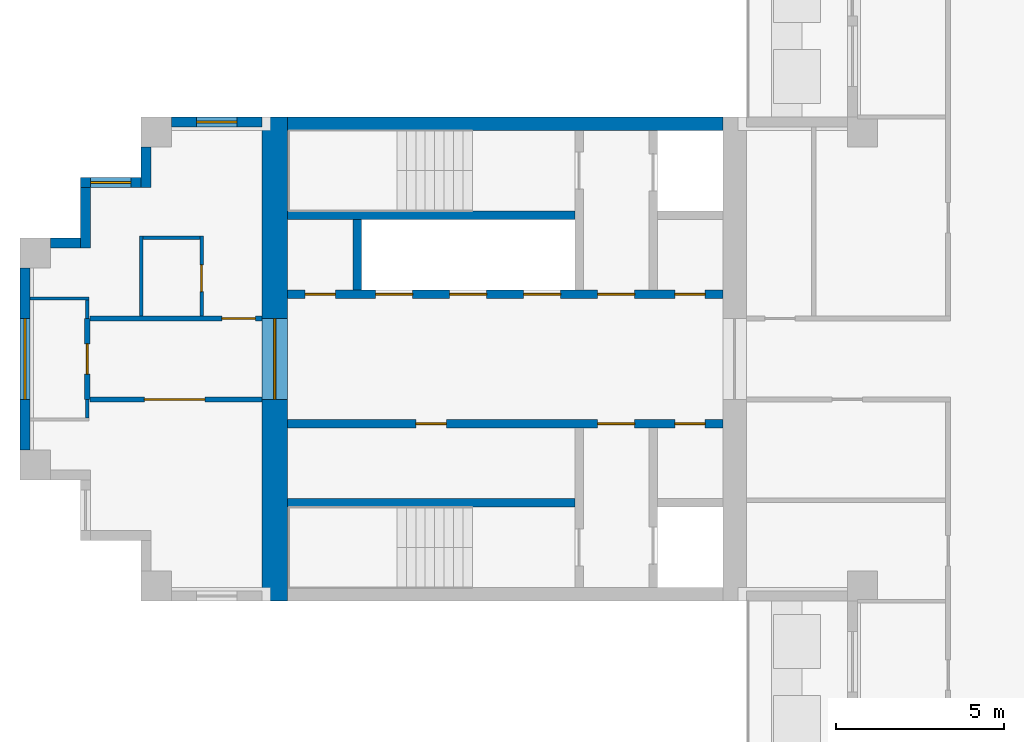
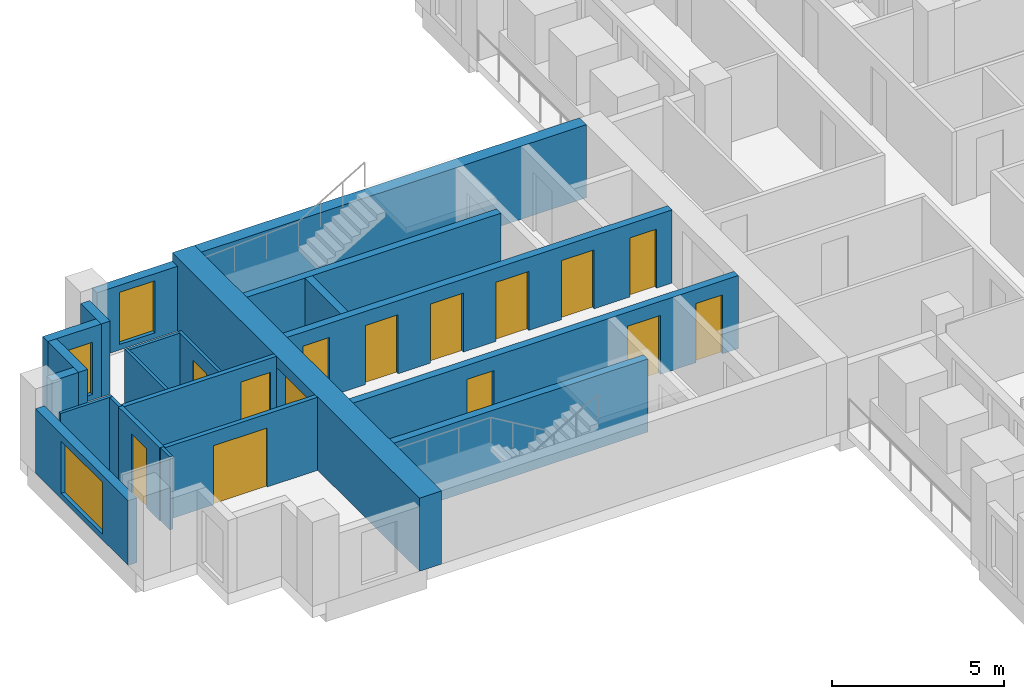
# One storey, part 3 of 9: 22 walls, 14 doors, 3 windows, 17 openings.
"""IFC4 building model written with IfcOpenShell, lengths in metres."""

from ifc_helpers import new_model, si_unit, direction, frame, frame_2d, origin, place, context, subcontext, project, spatial, rectangle, extrude, material, layer, layer_set, type_object, element, fill, save


model = new_model("IFC4")

# Units and contexts
model_context = context("Model", 3, precision=1e-05, world=origin(), true_north=direction((0.0, 1.0)))
body_context = subcontext(model_context, "Body", "Model", "MODEL_VIEW")
ifc_project = project(units=[si_unit("LENGTHUNIT", "METRE"), si_unit("AREAUNIT", "SQUARE_METRE"), si_unit("VOLUMEUNIT", "CUBIC_METRE"), si_unit("PLANEANGLEUNIT", "RADIAN"), si_unit("MASSUNIT", "GRAM", prefix="KILO")], contexts=[model_context])

# Site, building, storey
site_placement = place(None, origin())
site = spatial("IfcSite", under=ifc_project, at=site_placement, CompositionType="ELEMENT")
building_placement = place(site_placement, origin())
building = spatial("IfcBuilding", under=site, at=building_placement, Name="Fustian Cross Tower", CompositionType="ELEMENT")
storey_placement = place(building_placement, frame((0.0, 0.0, 219.89990234375)))
storey = spatial("IfcBuildingStorey", under=building, at=storey_placement, Name="L69", CompositionType="ELEMENT", Elevation=219.89990234375)

# Wall, opening, door
ifc_material_1 = material(Name="Plasterboard on steel stud", Category="steel")
ifc_layer_1 = layer(ifc_material_1, 0.14990234375)
ifc_layer_set_1 = layer_set([ifc_layer_1], Name="Plasterboard on steel stud")
wall_type_1 = type_object("IfcWallType", Name="COMPARTMENT WALL 150 EI 60", PredefinedType="PARTITIONING", material=ifc_layer_set_1)
wall_1_placement = place(storey_placement, frame((-26.800048828125, -1.199951171875, 0.0), z_axis=(0.0, 0.0, 1.0), x_axis=(0.0, 1.0, 0.0)))
wall_1 = element("IfcWall", 1, at=wall_1_placement, inside=storey, type_object=wall_type_1, Name="Partition 4", PredefinedType="PARTITIONING", context=body_context, shape_type="SweptSolid", body=[
    extrude(rectangle(XDim=2.39990234375, YDim=0.14990234375, at=frame_2d((1.199951171875, 0.0))), origin(), (0.0, 0.0, 1.0), 2.60009765625),
])
opening_1_placement = place(wall_1_placement, frame((0.75, 0.0, 0.0)))
opening_1 = element("IfcOpeningElement", 2, at=opening_1_placement, cuts=wall_1, Name="Opening D31022", PredefinedType="OPENING", context=body_context, shape_type="SweptSolid", body=[
    extrude(rectangle(XDim=0.89990234375, YDim=2.10009765625, at=frame_2d((0.449951171875, 1.050048828125))), frame((0.0, 0.0849609375, 0.0), z_axis=(0.0, -1.0, 0.0), x_axis=(1.0, 0.0, 0.0)), (0.0, 0.0, 1.0), 0.169921875),
])
ifc_material_2 = material(Name="Timber fire door set", Category="wood")
door_type_1 = type_object("IfcDoorType", Name="FIRE SWING DOOR 900 FD30S", OperationType="SINGLE_SWING_LEFT", PredefinedType="DOOR", material=ifc_material_2)
door_1_placement = place(opening_1_placement, origin())
door_1 = element("IfcDoor", 3, at=door_1_placement, inside=storey, type_object=door_type_1, Name="Door D31022", OperationType="SINGLE_SWING_LEFT", OverallHeight=2.10009765625, OverallWidth=0.89990234375, PredefinedType="DOOR", context=body_context, shape_type="SweptSolid", body=[
    extrude(rectangle(XDim=0.89990234375, YDim=2.10009765625, at=frame_2d((0.449951171875, 1.050048828125))), frame((0.0, 0.02490234375, 0.0), z_axis=(0.0, -1.0, 0.0), x_axis=(1.0, 0.0, 0.0)), (0.0, 0.0, 1.0), 0.050048828125),
])
fill(opening_1, door_1)

wall_2_placement = place(storey_placement, frame((-26.72509765625, -1.199951171875, 0.0), z_axis=(0.0, 0.0, 1.0), x_axis=(1.0, 0.0, 0.0)))
wall_2 = element("IfcWall", 4, at=wall_2_placement, inside=storey, type_object=wall_type_1, Name="Partition 5", PredefinedType="PARTITIONING", context=body_context, shape_type="SweptSolid", body=[
    extrude(rectangle(XDim=5.125, YDim=0.14990234375, at=frame_2d((2.5625, 0.0))), origin(), (0.0, 0.0, 1.0), 2.60009765625),
])
opening_2_placement = place(wall_2_placement, frame((1.625, 0.0, 0.0)))
opening_2 = element("IfcOpeningElement", 5, at=opening_2_placement, cuts=wall_2, Name="Opening D31023", PredefinedType="OPENING", context=body_context, shape_type="SweptSolid", body=[
    extrude(rectangle(XDim=1.800048828125, YDim=2.10009765625, at=frame_2d((0.89990234375, 1.050048828125))), frame((0.0, 0.0849609375, 0.0), z_axis=(0.0, -1.0, 0.0), x_axis=(1.0, 0.0, 0.0)), (0.0, 0.0, 1.0), 0.169921875),
])
ifc_material_3 = material(Name="Timber fire door set", Category="wood")
door_type_2 = type_object("IfcDoorType", Name="FIRE DOUBLE DOOR 1800 FD30S", OperationType="DOUBLE_DOOR_DOUBLE_SWING", PredefinedType="DOOR", material=ifc_material_3)
door_2_placement = place(opening_2_placement, origin())
door_2 = element("IfcDoor", 6, at=door_2_placement, inside=storey, type_object=door_type_2, Name="Door D31023", OperationType="DOUBLE_DOOR_DOUBLE_SWING", OverallHeight=2.10009765625, OverallWidth=1.800048828125, PredefinedType="DOOR", context=body_context, shape_type="SweptSolid", body=[
    extrude(rectangle(XDim=1.800048828125, YDim=2.10009765625, at=frame_2d((0.89990234375, 1.050048828125))), frame((0.0, 0.02490234375, 0.0), z_axis=(0.0, -1.0, 0.0), x_axis=(1.0, 0.0, 0.0)), (0.0, 0.0, 1.0), 0.050048828125),
])
fill(opening_2, door_2)

wall_3_placement = place(storey_placement, frame((-26.72509765625, 1.199951171875, 0.0), z_axis=(0.0, 0.0, 1.0), x_axis=(1.0, 0.0, 0.0)))
wall_3 = element("IfcWall", 7, at=wall_3_placement, inside=storey, type_object=wall_type_1, Name="Partition 7", PredefinedType="PARTITIONING", context=body_context, shape_type="SweptSolid", body=[
    extrude(rectangle(XDim=5.125, YDim=0.14990234375, at=frame_2d((2.5625, 0.0))), origin(), (0.0, 0.0, 1.0), 2.60009765625),
])
opening_3_placement = place(wall_3_placement, frame((3.925048828125, 0.0, 0.0)))
opening_3 = element("IfcOpeningElement", 8, at=opening_3_placement, cuts=wall_3, Name="Opening D31025", PredefinedType="OPENING", context=body_context, shape_type="SweptSolid", body=[
    extrude(rectangle(XDim=1.0, YDim=2.10009765625, at=frame_2d((0.5, 1.050048828125))), frame((0.0, 0.0849609375, 0.0), z_axis=(0.0, -1.0, 0.0), x_axis=(1.0, 0.0, 0.0)), (0.0, 0.0, 1.0), 0.169921875),
])
ifc_material_4 = material(Name="Timber fire door set", Category="wood")
door_type_3 = type_object("IfcDoorType", Name="FIRE SWING DOOR 1000 FD30S", OperationType="SINGLE_SWING_LEFT", PredefinedType="DOOR", material=ifc_material_4)
door_3_placement = place(opening_3_placement, origin())
door_3 = element("IfcDoor", 9, at=door_3_placement, inside=storey, type_object=door_type_3, Name="Door D31025", OperationType="SINGLE_SWING_RIGHT", OverallHeight=2.10009765625, OverallWidth=1.0, PredefinedType="DOOR", context=body_context, shape_type="SweptSolid", body=[
    extrude(rectangle(XDim=1.0, YDim=2.10009765625, at=frame_2d((0.5, 1.050048828125))), frame((0.0, 0.02490234375, 0.0), z_axis=(0.0, -1.0, 0.0), x_axis=(1.0, 0.0, 0.0)), (0.0, 0.0, 1.0), 0.050048828125),
])
fill(opening_3, door_3)

ifc_material_5 = material(Name="Concrete C50/60", Category="concrete")
ifc_layer_2 = layer(ifc_material_5, 0.75)
ifc_layer_set_2 = layer_set([ifc_layer_2], Name="Concrete C50/60")
wall_type_2 = type_object("IfcWallType", Name="CORE END WALL 750 C50/60", PredefinedType="SHEAR", material=ifc_layer_set_2)
wall_4_placement = place(storey_placement, frame((-21.22509765625, -7.199951171875, 0.0), z_axis=(0.0, 0.0, 1.0), x_axis=(0.0, 1.0, 0.0)))
wall_4 = element("IfcWall", 10, at=wall_4_placement, inside=storey, type_object=wall_type_2, Name="Core end wall", PredefinedType="SHEAR", context=body_context, shape_type="SweptSolid", body=[
    extrude(rectangle(XDim=14.39990234375, YDim=0.75, at=frame_2d((7.199951171875, 0.0))), origin(), (0.0, 0.0, 1.0), 2.60009765625),
])
opening_4_placement = place(wall_4_placement, frame((6.0, 0.0, 0.0)))
opening_4 = element("IfcOpeningElement", 11, at=opening_4_placement, cuts=wall_4, Name="Opening CD-29-28", PredefinedType="OPENING", context=body_context, shape_type="SweptSolid", body=[
    extrude(rectangle(XDim=2.39990234375, YDim=2.199951171875, at=frame_2d((1.199951171875, 1.10009765625))), frame((0.0, 0.385009765625, 0.0), z_axis=(0.0, -1.0, 0.0), x_axis=(1.0, 0.0, 0.0)), (0.0, 0.0, 1.0), 0.77001953125),
])
ifc_material_6 = material(Name="Steel", Category="steel")
door_type_4 = type_object("IfcDoorType", Name="FIRE DOOR FD30S DOUBLE 2400X2200", OperationType="DOUBLE_DOOR_DOUBLE_SWING", PredefinedType="DOOR", material=ifc_material_6)
door_4_placement = place(opening_4_placement, frame((2.39990234375, 0.0, 0.0), z_axis=(0.0, 0.0, 1.0), x_axis=(-1.0, 0.0, 0.0)))
door_4 = element("IfcDoor", 12, at=door_4_placement, inside=storey, type_object=door_type_4, Name="Core door CD-29-28", OperationType="DOUBLE_DOOR_DOUBLE_SWING", OverallHeight=2.199951171875, OverallWidth=2.39990234375, PredefinedType="DOOR", context=body_context, shape_type="SweptSolid", body=[
    extrude(rectangle(XDim=2.39990234375, YDim=2.199951171875, at=frame_2d((1.199951171875, 1.10009765625))), frame((0.0, 0.02490234375, 0.0), z_axis=(0.0, -1.0, 0.0), x_axis=(1.0, 0.0, 0.0)), (0.0, 0.0, 1.0), 0.050048828125),
])
fill(opening_4, door_4)

# Wall
ifc_material_7 = material(Name="Concrete C50/60", Category="concrete")
ifc_layer_3 = layer(ifc_material_7, 0.39990234375)
ifc_layer_set_3 = layer_set([ifc_layer_3], Name="Concrete C50/60")
wall_type_3 = type_object("IfcWallType", Name="CORE FACADE WALL 400 C50/60", PredefinedType="SHEAR", material=ifc_layer_set_3)
wall_5_placement = place(storey_placement, frame((-7.89990234375, 7.0, 0.0), z_axis=(0.0, 0.0, 1.0), x_axis=(-1.0, 0.0, 0.0)))
element("IfcWall", 13, at=wall_5_placement, inside=storey, type_object=wall_type_3, Name="Core facade wall", PredefinedType="SHEAR", context=body_context, shape_type="SweptSolid", body=[
    extrude(rectangle(XDim=12.9501953125, YDim=0.39990234375, at=frame_2d((6.47509765625, 0.0))), origin(), (0.0, 0.0, 1.0), 2.60009765625),
])

# Wall, openings, doors
ifc_material_8 = material(Name="Concrete C50/60", Category="concrete")
ifc_layer_4 = layer(ifc_material_8, 0.25)
ifc_layer_set_4 = layer_set([ifc_layer_4], Name="Concrete C50/60")
wall_type_4 = type_object("IfcWallType", Name="CORE LOBBY WALL 250 C50/60", PredefinedType="SHEAR", material=ifc_layer_set_4)
wall_6_placement = place(storey_placement, frame((-7.89990234375, 1.925048828125, 0.0), z_axis=(0.0, 0.0, 1.0), x_axis=(-1.0, 0.0, 0.0)))
wall_6 = element("IfcWall", 14, at=wall_6_placement, inside=storey, type_object=wall_type_4, Name="Core lobby wall", PredefinedType="SHEAR", context=body_context, shape_type="SweptSolid", body=[
    extrude(rectangle(XDim=12.9501953125, YDim=0.25, at=frame_2d((6.47509765625, 0.0))), origin(), (0.0, 0.0, 1.0), 2.60009765625),
])
opening_5_placement = place(wall_6_placement, frame((4.824951171875, 0.0, 0.0)))
opening_5 = element("IfcOpeningElement", 15, at=opening_5_placement, cuts=wall_6, Name="Opening LD", PredefinedType="OPENING", context=body_context, shape_type="SweptSolid", body=[
    extrude(rectangle(XDim=1.10009765625, YDim=2.10009765625, at=frame_2d((0.550048828125, 1.050048828125))), frame((0.0, 0.135009765625, 0.0), z_axis=(0.0, -1.0, 0.0), x_axis=(1.0, 0.0, 0.0)), (0.0, 0.0, 1.0), 0.27001953125),
])
opening_6_placement = place(wall_6_placement, frame((7.02490234375, 0.0, 0.0)))
opening_6 = element("IfcOpeningElement", 16, at=opening_6_placement, cuts=wall_6, Name="Opening LD", PredefinedType="OPENING", context=body_context, shape_type="SweptSolid", body=[
    extrude(rectangle(XDim=1.10009765625, YDim=2.10009765625, at=frame_2d((0.550048828125, 1.050048828125))), frame((0.0, 0.135009765625, 0.0), z_axis=(0.0, -1.0, 0.0), x_axis=(1.0, 0.0, 0.0)), (0.0, 0.0, 1.0), 0.27001953125),
])
opening_7_placement = place(wall_6_placement, frame((9.22509765625, 0.0, 0.0)))
opening_7 = element("IfcOpeningElement", 17, at=opening_7_placement, cuts=wall_6, Name="Opening LD", PredefinedType="OPENING", context=body_context, shape_type="SweptSolid", body=[
    extrude(rectangle(XDim=1.10009765625, YDim=2.10009765625, at=frame_2d((0.550048828125, 1.050048828125))), frame((0.0, 0.135009765625, 0.0), z_axis=(0.0, -1.0, 0.0), x_axis=(1.0, 0.0, 0.0)), (0.0, 0.0, 1.0), 0.27001953125),
])
opening_8_placement = place(wall_6_placement, frame((0.52490234375, 0.0, 0.0)))
opening_8 = element("IfcOpeningElement", 18, at=opening_8_placement, cuts=wall_6, Name="Opening CD-29-23", PredefinedType="OPENING", context=body_context, shape_type="SweptSolid", body=[
    extrude(rectangle(XDim=0.89990234375, YDim=2.10009765625, at=frame_2d((0.449951171875, 1.050048828125))), frame((0.0, 0.135009765625, 0.0), z_axis=(0.0, -1.0, 0.0), x_axis=(1.0, 0.0, 0.0)), (0.0, 0.0, 1.0), 0.27001953125),
])
opening_9_placement = place(wall_6_placement, frame((2.625, 0.0, 0.0)))
opening_9 = element("IfcOpeningElement", 19, at=opening_9_placement, cuts=wall_6, Name="Opening CD-29-25", PredefinedType="OPENING", context=body_context, shape_type="SweptSolid", body=[
    extrude(rectangle(XDim=1.10009765625, YDim=2.10009765625, at=frame_2d((0.550048828125, 1.050048828125))), frame((0.0, 0.135009765625, 0.0), z_axis=(0.0, -1.0, 0.0), x_axis=(1.0, 0.0, 0.0)), (0.0, 0.0, 1.0), 0.27001953125),
])
opening_10_placement = place(wall_6_placement, frame((11.52490234375, 0.0, 0.0)))
opening_10 = element("IfcOpeningElement", 20, at=opening_10_placement, cuts=wall_6, Name="Opening CD-29-29", PredefinedType="OPENING", context=body_context, shape_type="SweptSolid", body=[
    extrude(rectangle(XDim=0.89990234375, YDim=2.10009765625, at=frame_2d((0.449951171875, 1.050048828125))), frame((0.0, 0.135009765625, 0.0), z_axis=(0.0, -1.0, 0.0), x_axis=(1.0, 0.0, 0.0)), (0.0, 0.0, 1.0), 0.27001953125),
])
ifc_material_9 = material(Name="Steel", Category="steel")
door_type_5 = type_object("IfcDoorType", Name="FIRE DOOR FD30S 900X2100", OperationType="SINGLE_SWING_LEFT", PredefinedType="DOOR", material=ifc_material_9)
door_5_placement = place(opening_10_placement, frame((0.89990234375, 0.0, 0.0), z_axis=(0.0, 0.0, 1.0), x_axis=(-1.0, 0.0, 0.0)))
door_5 = element("IfcDoor", 21, at=door_5_placement, inside=storey, type_object=door_type_5, Name="Core door CD-29-29", OperationType="SINGLE_SWING_RIGHT", OverallHeight=2.10009765625, OverallWidth=0.89990234375, PredefinedType="DOOR", context=body_context, shape_type="SweptSolid", body=[
    extrude(rectangle(XDim=0.89990234375, YDim=2.10009765625, at=frame_2d((0.449951171875, 1.050048828125))), frame((0.0, 0.02490234375, 0.0), z_axis=(0.0, -1.0, 0.0), x_axis=(1.0, 0.0, 0.0)), (0.0, 0.0, 1.0), 0.050048828125),
])
fill(opening_10, door_5)
ifc_material_10 = material(Name="Steel", Category="steel")
door_type_6 = type_object("IfcDoorType", Name="FIRE DOOR FD60S 1100X2100", OperationType="SINGLE_SWING_LEFT", PredefinedType="DOOR", material=ifc_material_10)
door_6_placement = place(opening_9_placement, frame((1.10009765625, 0.0, 0.0), z_axis=(0.0, 0.0, 1.0), x_axis=(-1.0, 0.0, 0.0)))
door_6 = element("IfcDoor", 22, at=door_6_placement, inside=storey, type_object=door_type_6, Name="Core door CD-29-25", OperationType="SINGLE_SWING_RIGHT", OverallHeight=2.10009765625, OverallWidth=1.10009765625, PredefinedType="DOOR", context=body_context, shape_type="SweptSolid", body=[
    extrude(rectangle(XDim=1.10009765625, YDim=2.10009765625, at=frame_2d((0.550048828125, 1.050048828125))), frame((0.0, 0.02490234375, 0.0), z_axis=(0.0, -1.0, 0.0), x_axis=(1.0, 0.0, 0.0)), (0.0, 0.0, 1.0), 0.050048828125),
])
fill(opening_9, door_6)
ifc_material_11 = material(Name="Steel", Category="steel")
door_type_7 = type_object("IfcDoorType", Name="FIRE DOOR FD60S 900X2100", OperationType="SINGLE_SWING_LEFT", PredefinedType="DOOR", material=ifc_material_11)
door_7_placement = place(opening_8_placement, frame((0.89990234375, 0.0, 0.0), z_axis=(0.0, 0.0, 1.0), x_axis=(-1.0, 0.0, 0.0)))
door_7 = element("IfcDoor", 23, at=door_7_placement, inside=storey, type_object=door_type_7, Name="Core door CD-29-23", OperationType="SINGLE_SWING_RIGHT", OverallHeight=2.10009765625, OverallWidth=0.89990234375, PredefinedType="DOOR", context=body_context, shape_type="SweptSolid", body=[
    extrude(rectangle(XDim=0.89990234375, YDim=2.10009765625, at=frame_2d((0.449951171875, 1.050048828125))), frame((0.0, 0.02490234375, 0.0), z_axis=(0.0, -1.0, 0.0), x_axis=(1.0, 0.0, 0.0)), (0.0, 0.0, 1.0), 0.050048828125),
])
fill(opening_8, door_7)
ifc_material_12 = material(Name="Stainless steel", Category="steel")
door_type_8 = type_object("IfcDoorType", Name="LIFT LANDING DOOR 1100X2100", OperationType="SLIDING_TO_LEFT", PredefinedType="DOOR", material=ifc_material_12)
door_8_placement = place(opening_5_placement, origin())
door_8 = element("IfcDoor", 24, at=door_8_placement, inside=storey, type_object=door_type_8, Name="Landing door HR1W", OperationType="SLIDING_TO_LEFT", OverallHeight=2.10009765625, OverallWidth=1.10009765625, PredefinedType="DOOR", context=body_context, shape_type="SweptSolid", body=[
    extrude(rectangle(XDim=1.10009765625, YDim=2.10009765625, at=frame_2d((0.550048828125, 1.050048828125))), frame((0.0, 0.02490234375, 0.0), z_axis=(0.0, -1.0, 0.0), x_axis=(1.0, 0.0, 0.0)), (0.0, 0.0, 1.0), 0.050048828125),
])
fill(opening_5, door_8)
door_9_placement = place(opening_6_placement, origin())
door_9 = element("IfcDoor", 25, at=door_9_placement, inside=storey, type_object=door_type_8, Name="Landing door HR2W", OperationType="SLIDING_TO_LEFT", OverallHeight=2.10009765625, OverallWidth=1.10009765625, PredefinedType="DOOR", context=body_context, shape_type="SweptSolid", body=[
    extrude(rectangle(XDim=1.10009765625, YDim=2.10009765625, at=frame_2d((0.550048828125, 1.050048828125))), frame((0.0, 0.02490234375, 0.0), z_axis=(0.0, -1.0, 0.0), x_axis=(1.0, 0.0, 0.0)), (0.0, 0.0, 1.0), 0.050048828125),
])
fill(opening_6, door_9)
door_10_placement = place(opening_7_placement, origin())
door_10 = element("IfcDoor", 26, at=door_10_placement, inside=storey, type_object=door_type_8, Name="Landing door HR3W", OperationType="SLIDING_TO_LEFT", OverallHeight=2.10009765625, OverallWidth=1.10009765625, PredefinedType="DOOR", context=body_context, shape_type="SweptSolid", body=[
    extrude(rectangle(XDim=1.10009765625, YDim=2.10009765625, at=frame_2d((0.550048828125, 1.050048828125))), frame((0.0, 0.02490234375, 0.0), z_axis=(0.0, -1.0, 0.0), x_axis=(1.0, 0.0, 0.0)), (0.0, 0.0, 1.0), 0.050048828125),
])
fill(opening_7, door_10)

wall_7_placement = place(storey_placement, frame((-7.89990234375, -1.925048828125, 0.0), z_axis=(0.0, 0.0, 1.0), x_axis=(-1.0, 0.0, 0.0)))
wall_7 = element("IfcWall", 27, at=wall_7_placement, inside=storey, type_object=wall_type_4, Name="Core lobby wall", PredefinedType="SHEAR", context=body_context, shape_type="SweptSolid", body=[
    extrude(rectangle(XDim=12.9501953125, YDim=0.25, at=frame_2d((6.47509765625, 0.0))), origin(), (0.0, 0.0, 1.0), 2.60009765625),
])
opening_11_placement = place(wall_7_placement, frame((0.52490234375, 0.0, 0.0)))
opening_11 = element("IfcOpeningElement", 28, at=opening_11_placement, cuts=wall_7, Name="Opening CD-29-24", PredefinedType="OPENING", context=body_context, shape_type="SweptSolid", body=[
    extrude(rectangle(XDim=0.89990234375, YDim=2.10009765625, at=frame_2d((0.449951171875, 1.050048828125))), frame((0.0, 0.135009765625, 0.0), z_axis=(0.0, -1.0, 0.0), x_axis=(1.0, 0.0, 0.0)), (0.0, 0.0, 1.0), 0.27001953125),
])
opening_12_placement = place(wall_7_placement, frame((2.625, 0.0, 0.0)))
opening_12 = element("IfcOpeningElement", 29, at=opening_12_placement, cuts=wall_7, Name="Opening CD-29-26", PredefinedType="OPENING", context=body_context, shape_type="SweptSolid", body=[
    extrude(rectangle(XDim=1.10009765625, YDim=2.10009765625, at=frame_2d((0.550048828125, 1.050048828125))), frame((0.0, 0.135009765625, 0.0), z_axis=(0.0, -1.0, 0.0), x_axis=(1.0, 0.0, 0.0)), (0.0, 0.0, 1.0), 0.27001953125),
])
opening_13_placement = place(wall_7_placement, frame((8.22509765625, 0.0, 0.0)))
opening_13 = element("IfcOpeningElement", 30, at=opening_13_placement, cuts=wall_7, Name="Opening CD-29-30", PredefinedType="OPENING", context=body_context, shape_type="SweptSolid", body=[
    extrude(rectangle(XDim=0.89990234375, YDim=2.10009765625, at=frame_2d((0.449951171875, 1.050048828125))), frame((0.0, 0.135009765625, 0.0), z_axis=(0.0, -1.0, 0.0), x_axis=(1.0, 0.0, 0.0)), (0.0, 0.0, 1.0), 0.27001953125),
])
ifc_material_13 = material(Name="Steel", Category="steel")
door_type_9 = type_object("IfcDoorType", Name="FIRE DOOR FD30S 1100X2100", OperationType="SINGLE_SWING_LEFT", PredefinedType="DOOR", material=ifc_material_13)
door_11_placement = place(opening_12_placement, frame((1.10009765625, 0.0, 0.0), z_axis=(0.0, 0.0, 1.0), x_axis=(-1.0, 0.0, 0.0)))
door_11 = element("IfcDoor", 31, at=door_11_placement, inside=storey, type_object=door_type_9, Name="Core door CD-29-26", OperationType="SINGLE_SWING_RIGHT", OverallHeight=2.10009765625, OverallWidth=1.10009765625, PredefinedType="DOOR", context=body_context, shape_type="SweptSolid", body=[
    extrude(rectangle(XDim=1.10009765625, YDim=2.10009765625, at=frame_2d((0.550048828125, 1.050048828125))), frame((0.0, 0.02490234375, 0.0), z_axis=(0.0, -1.0, 0.0), x_axis=(1.0, 0.0, 0.0)), (0.0, 0.0, 1.0), 0.050048828125),
])
fill(opening_12, door_11)
door_12_placement = place(opening_11_placement, origin())
door_12 = element("IfcDoor", 32, at=door_12_placement, inside=storey, type_object=door_type_5, Name="Core door CD-29-24", OperationType="SINGLE_SWING_LEFT", OverallHeight=2.10009765625, OverallWidth=0.89990234375, PredefinedType="DOOR", context=body_context, shape_type="SweptSolid", body=[
    extrude(rectangle(XDim=0.89990234375, YDim=2.10009765625, at=frame_2d((0.449951171875, 1.050048828125))), frame((0.0, 0.02490234375, 0.0), z_axis=(0.0, -1.0, 0.0), x_axis=(1.0, 0.0, 0.0)), (0.0, 0.0, 1.0), 0.050048828125),
])
fill(opening_11, door_12)
door_13_placement = place(opening_13_placement, origin())
door_13 = element("IfcDoor", 33, at=door_13_placement, inside=storey, type_object=door_type_5, Name="Core door CD-29-30", OperationType="SINGLE_SWING_RIGHT", OverallHeight=2.10009765625, OverallWidth=0.89990234375, PredefinedType="DOOR", context=body_context, shape_type="SweptSolid", body=[
    extrude(rectangle(XDim=0.89990234375, YDim=2.10009765625, at=frame_2d((0.449951171875, 1.050048828125))), frame((0.0, 0.02490234375, 0.0), z_axis=(0.0, -1.0, 0.0), x_axis=(1.0, 0.0, 0.0)), (0.0, 0.0, 1.0), 0.050048828125),
])
fill(opening_13, door_13)

# Walls
ifc_material_14 = material(Name="Concrete C50/60", Category="concrete")
ifc_layer_5 = layer(ifc_material_14, 0.25)
ifc_layer_set_5 = layer_set([ifc_layer_5], Name="Concrete C50/60")
wall_type_5 = type_object("IfcWallType", Name="CORE SHAFT WALL 250 C50/60", PredefinedType="SHEAR", material=ifc_layer_set_5)
for number, where, z_axis, x_axis, name in (
    (34, (-12.300048828125, 4.27490234375, 0.0), (0.0, 0.0, 1.0), (-1.0, 0.0, 0.0), "Core shaft wall"),
    (35, (-12.300048828125, -4.27490234375, 0.0), (0.0, 0.0, 1.0), (-1.0, 0.0, 0.0), "Core shaft wall"),
):
    element("IfcWall", number, at=place(storey_placement, frame(where, z_axis=z_axis, x_axis=x_axis)), inside=storey, type_object=wall_type_5, Name=name, PredefinedType="SHEAR", context=body_context, shape_type="SweptSolid", body=[
        extrude(rectangle(XDim=8.550048828125, YDim=0.25, at=frame_2d((4.27490234375, 0.0))), origin(), (0.0, 0.0, 1.0), 2.60009765625),
    ])
ifc_material_15 = material(Name="Plasterboard on steel stud", Category="steel")
ifc_layer_6 = layer(ifc_material_15, 0.10009765625)
ifc_layer_set_6 = layer_set([ifc_layer_6], Name="Plasterboard on steel stud")
wall_type_6 = type_object("IfcWallType", Name="PARTITION 100 STUD", PredefinedType="PARTITIONING", material=ifc_layer_set_6)
wall_8_placement = place(storey_placement, frame((-28.5, 1.800048828125, 0.0), z_axis=(0.0, 0.0, 1.0), x_axis=(1.0, 0.0, 0.0)))
element("IfcWall", 36, at=wall_8_placement, inside=storey, type_object=wall_type_6, Name="Partition 2", PredefinedType="PARTITIONING", context=body_context, shape_type="SweptSolid", body=[
    extrude(rectangle(XDim=1.75, YDim=0.10009765625, at=frame_2d((0.875, 0.0))), origin(), (0.0, 0.0, 1.0), 2.60009765625),
])
for number, where, z_axis, x_axis, name in (
    (37, (-26.800048828125, -1.75, 0.0), (0.0, 0.0, 1.0), (0.0, 1.0, 0.0), "Partition 3"),
    (38, (-26.800048828125, 1.199951171875, 0.0), (0.0, 0.0, 1.0), (0.0, 1.0, 0.0), "Partition 6"),
):
    element("IfcWall", number, at=place(storey_placement, frame(where, z_axis=z_axis, x_axis=x_axis)), inside=storey, type_object=wall_type_6, Name=name, PredefinedType="PARTITIONING", context=body_context, shape_type="SweptSolid", body=[
        extrude(rectangle(XDim=0.550048828125, YDim=0.10009765625, at=frame_2d((0.27490234375, 0.0))), origin(), (0.0, 0.0, 1.0), 2.60009765625),
    ])
wall_9_placement = place(storey_placement, frame((-25.199951171875, 1.27490234375, 0.0), z_axis=(0.0, 0.0, 1.0), x_axis=(0.0, 1.0, 0.0)))
element("IfcWall", 39, at=wall_9_placement, inside=storey, type_object=wall_type_6, Name="Partition 8", PredefinedType="PARTITIONING", context=body_context, shape_type="SweptSolid", body=[
    extrude(rectangle(XDim=2.375, YDim=0.10009765625, at=frame_2d((1.1875, 0.0))), origin(), (0.0, 0.0, 1.0), 2.60009765625),
])
wall_10_placement = place(storey_placement, frame((-25.14990234375, 3.60009765625, 0.0), z_axis=(0.0, 0.0, 1.0), x_axis=(1.0, 0.0, 0.0)))
element("IfcWall", 40, at=wall_10_placement, inside=storey, type_object=wall_type_6, Name="Partition 9", PredefinedType="PARTITIONING", context=body_context, shape_type="SweptSolid", body=[
    extrude(rectangle(XDim=1.699951171875, YDim=0.10009765625, at=frame_2d((0.85009765625, 0.0))), origin(), (0.0, 0.0, 1.0), 2.60009765625),
])

# Wall, opening, door
wall_11_placement = place(storey_placement, frame((-23.39990234375, 1.27490234375, 0.0), z_axis=(0.0, 0.0, 1.0), x_axis=(0.0, 1.0, 0.0)))
wall_11 = element("IfcWall", 41, at=wall_11_placement, inside=storey, type_object=wall_type_6, Name="Partition 10", PredefinedType="PARTITIONING", context=body_context, shape_type="SweptSolid", body=[
    extrude(rectangle(XDim=2.375, YDim=0.10009765625, at=frame_2d((1.1875, 0.0))), origin(), (0.0, 0.0, 1.0), 2.60009765625),
])
opening_14_placement = place(wall_11_placement, frame((0.72509765625, 0.0, 0.0)))
opening_14 = element("IfcOpeningElement", 42, at=opening_14_placement, cuts=wall_11, Name="Opening D31024", PredefinedType="OPENING", context=body_context, shape_type="SweptSolid", body=[
    extrude(rectangle(XDim=0.800048828125, YDim=2.10009765625, at=frame_2d((0.39990234375, 1.050048828125))), frame((0.0, 0.06005859375, 0.0), z_axis=(0.0, -1.0, 0.0), x_axis=(1.0, 0.0, 0.0)), (0.0, 0.0, 1.0), 0.1201171875),
])
ifc_material_16 = material(Name="Painted timber", Category="wood")
door_type_10 = type_object("IfcDoorType", Name="SWING DOOR 800", OperationType="SINGLE_SWING_LEFT", PredefinedType="DOOR", material=ifc_material_16)
door_14_placement = place(opening_14_placement, origin())
door_14 = element("IfcDoor", 43, at=door_14_placement, inside=storey, type_object=door_type_10, Name="Door D31024", OperationType="SINGLE_SWING_LEFT", OverallHeight=2.10009765625, OverallWidth=0.800048828125, PredefinedType="DOOR", context=body_context, shape_type="SweptSolid", body=[
    extrude(rectangle(XDim=0.800048828125, YDim=2.10009765625, at=frame_2d((0.39990234375, 1.050048828125))), frame((0.0, 0.02490234375, 0.0), z_axis=(0.0, -1.0, 0.0), x_axis=(1.0, 0.0, 0.0)), (0.0, 0.0, 1.0), 0.050048828125),
])
fill(opening_14, door_14)

# Wall
ifc_material_17 = material(Name="Concrete C40/50", Category="concrete")
ifc_layer_7 = layer(ifc_material_17, 0.25)
ifc_layer_set_7 = layer_set([ifc_layer_7], Name="Concrete C40/50")
wall_type_7 = type_object("IfcWallType", Name="SHAFT PARTITION WALL 250 C40/50", PredefinedType="PARTITIONING", material=ifc_layer_set_7)
wall_12_placement = place(storey_placement, frame((-18.77490234375, 2.050048828125, 0.0), z_axis=(0.0, 0.0, 1.0), x_axis=(0.0, 1.0, 0.0)))
element("IfcWall", 44, at=wall_12_placement, inside=storey, type_object=wall_type_7, Name="Core shaft wall", PredefinedType="PARTITIONING", context=body_context, shape_type="SweptSolid", body=[
    extrude(rectangle(XDim=2.099853515625, YDim=0.25, at=frame_2d((1.0498046875, 0.0))), origin(), (0.0, 0.0, 1.0), 2.60009765625),
])

# Wall, opening, window
ifc_material_18 = material(Name="Dark aluminium cladding on insulated backing wall", Category="aluminium")
ifc_layer_8 = layer(ifc_material_18, 0.300048828125)
ifc_layer_set_8 = layer_set([ifc_layer_8], Name="Dark aluminium cladding on insulated backing wall")
wall_type_8 = type_object("IfcWallType", Name="XW1 EXTERNAL WALL 300", PredefinedType="SOLIDWALL", material=ifc_layer_set_8)
wall_13_placement = place(storey_placement, frame((-21.60009765625, 7.050048828125, 0.0), z_axis=(0.0, 0.0, 1.0), x_axis=(-1.0, 0.0, 0.0)))
wall_13 = element("IfcWall", 45, at=wall_13_placement, inside=storey, type_object=wall_type_8, Name="External wall", PredefinedType="SOLIDWALL", context=body_context, shape_type="SweptSolid", body=[
    extrude(rectangle(XDim=2.699951171875, YDim=0.300048828125, at=frame_2d((1.35009765625, 0.0))), origin(), (0.0, 0.0, 1.0), 2.300048828125),
])
opening_15_placement = place(wall_13_placement, frame((0.75, 0.0, 0.199951171875)))
opening_15 = element("IfcOpeningElement", 46, at=opening_15_placement, cuts=wall_13, Name="Opening WN3", PredefinedType="OPENING", context=body_context, shape_type="SweptSolid", body=[
    extrude(rectangle(XDim=1.199951171875, YDim=1.85009765625, at=frame_2d((0.60009765625, 0.925048828125))), frame((0.0, 0.159912109375, 0.0), z_axis=(0.0, -1.0, 0.0), x_axis=(1.0, 0.0, 0.0)), (0.0, 0.0, 1.0), 0.320068359375),
])
ifc_material_19 = material(Name="Dark anodised aluminium and double glazing", Category="aluminium")
window_type_1 = type_object("IfcWindowType", Name="WN3 WINDOW 1200X1850", PartitioningType="SINGLE_PANEL", PredefinedType="WINDOW", material=ifc_material_19)
window_1_placement = place(opening_15_placement, origin())
window_1 = element("IfcWindow", 47, at=window_1_placement, inside=storey, type_object=window_type_1, Name="Window", OverallHeight=1.85009765625, OverallWidth=1.199951171875, PartitioningType="SINGLE_PANEL", PredefinedType="WINDOW", context=body_context, shape_type="SweptSolid", body=[
    extrude(rectangle(XDim=1.199951171875, YDim=1.85009765625, at=frame_2d((0.60009765625, 0.925048828125))), frame((0.0, 0.030029296875, 0.0), z_axis=(0.0, -1.0, 0.0), x_axis=(1.0, 0.0, 0.0)), (0.0, 0.0, 1.0), 0.06005859375),
])
fill(opening_15, window_1)

# Wall
wall_14_placement = place(storey_placement, frame((-25.050048828125, 6.300048828125, 0.0), z_axis=(0.0, 0.0, 1.0), x_axis=(0.0, -1.0, 0.0)))
element("IfcWall", 48, at=wall_14_placement, inside=storey, type_object=wall_type_8, Name="External wall", PredefinedType="SOLIDWALL", context=body_context, shape_type="SweptSolid", body=[
    extrude(rectangle(XDim=1.199951171875, YDim=0.300048828125, at=frame_2d((0.60009765625, 0.0))), origin(), (0.0, 0.0, 1.0), 2.60009765625),
])

# Wall, opening, window
wall_15_placement = place(storey_placement, frame((-25.199951171875, 5.25, 0.0), z_axis=(0.0, 0.0, 1.0), x_axis=(-1.0, 0.0, 0.0)))
wall_15 = element("IfcWall", 49, at=wall_15_placement, inside=storey, type_object=wall_type_8, Name="External wall", PredefinedType="SOLIDWALL", context=body_context, shape_type="SweptSolid", body=[
    extrude(rectangle(XDim=1.800048828125, YDim=0.300048828125, at=frame_2d((0.89990234375, 0.0))), origin(), (0.0, 0.0, 1.0), 2.60009765625),
])
opening_16_placement = place(wall_15_placement, frame((0.300048828125, 0.0, 0.199951171875)))
opening_16 = element("IfcOpeningElement", 50, at=opening_16_placement, cuts=wall_15, Name="Opening WN3", PredefinedType="OPENING", context=body_context, shape_type="SweptSolid", body=[
    extrude(rectangle(XDim=1.199951171875, YDim=1.85009765625, at=frame_2d((0.60009765625, 0.925048828125))), frame((0.0, 0.159912109375, 0.0), z_axis=(0.0, -1.0, 0.0), x_axis=(1.0, 0.0, 0.0)), (0.0, 0.0, 1.0), 0.320068359375),
])
window_2_placement = place(opening_16_placement, origin())
window_2 = element("IfcWindow", 51, at=window_2_placement, inside=storey, type_object=window_type_1, Name="Window", OverallHeight=1.85009765625, OverallWidth=1.199951171875, PartitioningType="SINGLE_PANEL", PredefinedType="WINDOW", context=body_context, shape_type="SweptSolid", body=[
    extrude(rectangle(XDim=1.199951171875, YDim=1.85009765625, at=frame_2d((0.60009765625, 0.925048828125))), frame((0.0, 0.030029296875, 0.0), z_axis=(0.0, -1.0, 0.0), x_axis=(1.0, 0.0, 0.0)), (0.0, 0.0, 1.0), 0.06005859375),
])
fill(opening_16, window_2)

# Walls
wall_16_placement = place(storey_placement, frame((-26.85009765625, 5.10009765625, 0.0), z_axis=(0.0, 0.0, 1.0), x_axis=(0.0, -1.0, 0.0)))
element("IfcWall", 52, at=wall_16_placement, inside=storey, type_object=wall_type_8, Name="External wall", PredefinedType="SOLIDWALL", context=body_context, shape_type="SweptSolid", body=[
    extrude(rectangle(XDim=1.800048828125, YDim=0.300048828125, at=frame_2d((0.89990234375, 0.0))), origin(), (0.0, 0.0, 1.0), 2.60009765625),
])
wall_17_placement = place(storey_placement, frame((-27.0, 3.449951171875, 0.0), z_axis=(0.0, 0.0, 1.0), x_axis=(-1.0, 0.0, 0.0)))
element("IfcWall", 53, at=wall_17_placement, inside=storey, type_object=wall_type_8, Name="External wall", PredefinedType="SOLIDWALL", context=body_context, shape_type="SweptSolid", body=[
    extrude(rectangle(XDim=0.89990234375, YDim=0.300048828125, at=frame_2d((0.449951171875, 0.0))), origin(), (0.0, 0.0, 1.0), 2.60009765625),
])

# Wall, opening, window
wall_18_placement = place(storey_placement, frame((-28.64990234375, 2.699951171875, 0.0), z_axis=(0.0, 0.0, 1.0), x_axis=(0.0, -1.0, 0.0)))
wall_18 = element("IfcWall", 54, at=wall_18_placement, inside=storey, type_object=wall_type_8, Name="External wall", PredefinedType="SOLIDWALL", context=body_context, shape_type="SweptSolid", body=[
    extrude(rectangle(XDim=5.39990234375, YDim=0.300048828125, at=frame_2d((2.699951171875, 0.0))), origin(), (0.0, 0.0, 1.0), 2.300048828125),
])
opening_17_placement = place(wall_18_placement, frame((1.5, 0.0, 0.199951171875)))
opening_17 = element("IfcOpeningElement", 55, at=opening_17_placement, cuts=wall_18, Name="Opening WN1", PredefinedType="OPENING", context=body_context, shape_type="SweptSolid", body=[
    extrude(rectangle(XDim=2.39990234375, YDim=1.85009765625, at=frame_2d((1.199951171875, 0.925048828125))), frame((0.0, 0.159912109375, 0.0), z_axis=(0.0, -1.0, 0.0), x_axis=(1.0, 0.0, 0.0)), (0.0, 0.0, 1.0), 0.320068359375),
])
ifc_material_20 = material(Name="Dark anodised aluminium and double glazing", Category="aluminium")
window_type_2 = type_object("IfcWindowType", Name="WN1 WINDOW 2400X1850", PartitioningType="SINGLE_PANEL", PredefinedType="WINDOW", material=ifc_material_20)
window_3_placement = place(opening_17_placement, origin())
window_3 = element("IfcWindow", 56, at=window_3_placement, inside=storey, type_object=window_type_2, Name="Window", OverallHeight=1.85009765625, OverallWidth=2.39990234375, PartitioningType="SINGLE_PANEL", PredefinedType="WINDOW", context=body_context, shape_type="SweptSolid", body=[
    extrude(rectangle(XDim=2.39990234375, YDim=1.85009765625, at=frame_2d((1.199951171875, 0.925048828125))), frame((0.0, 0.030029296875, 0.0), z_axis=(0.0, -1.0, 0.0), x_axis=(1.0, 0.0, 0.0)), (0.0, 0.0, 1.0), 0.06005859375),
])
fill(opening_17, window_3)

save(model, "model.ifc")
